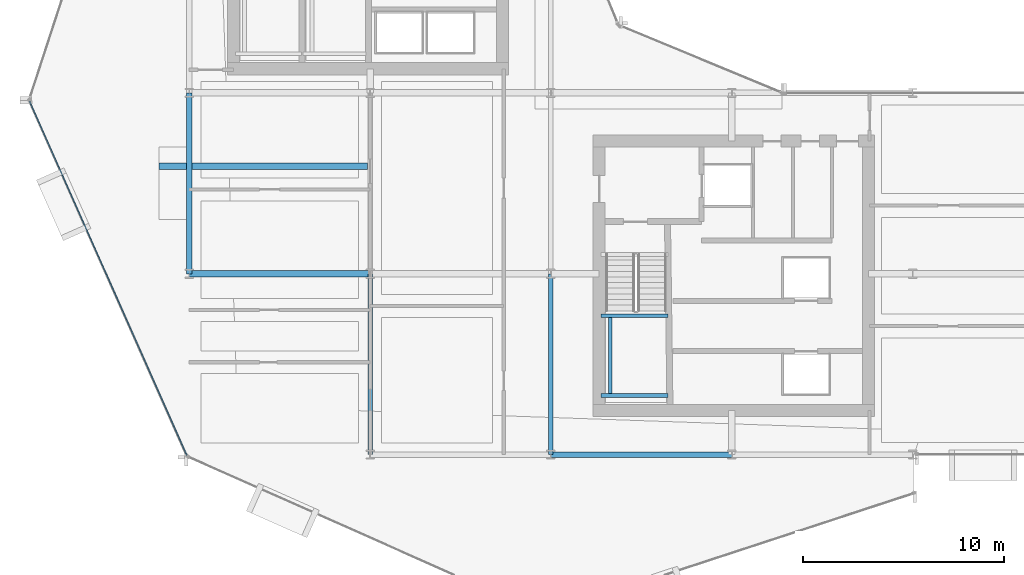
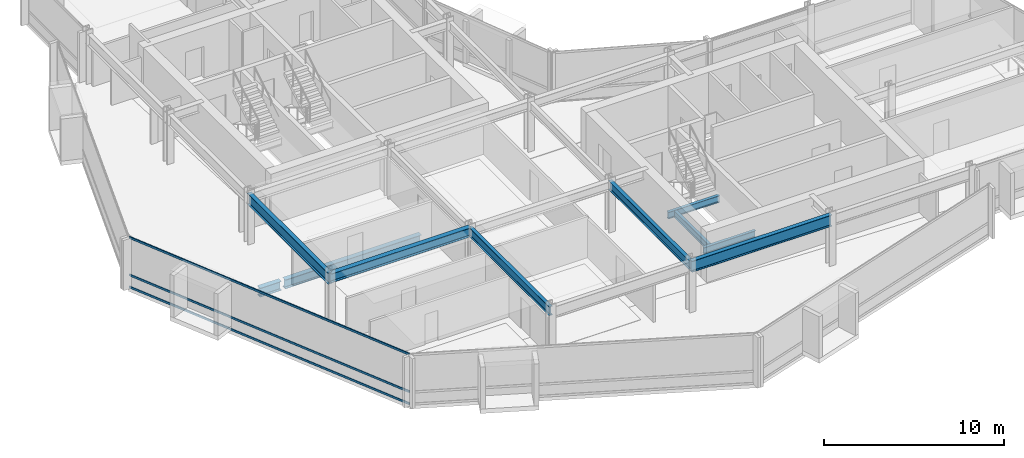
# One storey, part 5 of 28: 10 beams, 3 members, 1 element without a shape of its own.
"""IFC4 building model written with IfcOpenShell, lengths in metres."""

import ifcopenshell
import ifcopenshell.guid

model = None  # the IFC model being written
_history = None  # IfcOwnerHistory: only IFC2X3 demands one
_inside = {}  # id of a spatial element -> (the spatial element, [elements in it])
_under = {}  # id of a project, library or spatial element -> (it, [spatial elements below it])
_declared = {}  # id of a project -> (the project, [libraries it declares])
_typed = {}  # id of a type object -> (the type object, [elements of that type])
_made_of = {}  # id of a material, layer set ... -> (it, [elements and type objects made of it])


def new_model(schema):
    """Start an empty IFC model of exactly this schema.

    Asked for "IFC4X3", IfcOpenShell would pick the latest addendum, in which some entities
    have other attributes; the version numbers below select the first issue.
    IFC2X3 requires an IfcOwnerHistory on every rooted entity: one is made here for all.
    """
    global model, _history
    if schema == "IFC4X3":
        model = ifcopenshell.file(schema_version=(4, 3, 0, 0))
    else:
        model = ifcopenshell.file(schema=schema)
    _inside.clear()
    _under.clear()
    _declared.clear()
    _typed.clear()
    _made_of.clear()
    _history = None
    if model.schema == "IFC2X3":
        org = make("IfcOrganization", Name="unknown")
        user = make(
            "IfcPersonAndOrganization",
            ThePerson=make("IfcPerson", FamilyName="unknown"),
            TheOrganization=org,
        )
        app = make(
            "IfcApplication",
            ApplicationDeveloper=org,
            Version="unknown",
            ApplicationFullName="unknown",
            ApplicationIdentifier="unknown",
        )
        _history = make(
            "IfcOwnerHistory",
            OwningUser=user,
            OwningApplication=app,
            ChangeAction="ADDED",
            CreationDate=0,
        )
    return model


def make(cls, **values):
    """One entity of the class cls with the attributes given. An attribute that is None is left unset."""
    return model.create_entity(
        cls, **{name: value for name, value in values.items() if value is not None}
    )


def rooted(cls, **values):
    """An entity with a GlobalId (a new one), such as an element, a storey or a relation."""
    return make(cls, GlobalId=ifcopenshell.guid.new(), OwnerHistory=_history, **values)


def si_unit(unit_type, name, prefix=None):
    """IfcSIUnit, for example si_unit("LENGTHUNIT", "METRE", prefix="MILLI")."""
    return make("IfcSIUnit", UnitType=unit_type, Prefix=prefix, Name=name)


def assignment(units):
    """IfcUnitAssignment: the units of a project."""
    return None if units is None else make("IfcUnitAssignment", Units=units)


def point(xyz):
    """IfcCartesianPoint."""
    return None if xyz is None else make("IfcCartesianPoint", Coordinates=xyz)


def direction(xyz):
    """IfcDirection."""
    return None if xyz is None else make("IfcDirection", DirectionRatios=xyz)


def frame(location, z_axis=None, x_axis=None):
    """IfcAxis2Placement3D, a coordinate frame: its origin and axes. An axis left out is left unset."""
    return make(
        "IfcAxis2Placement3D",
        Location=point(location),
        Axis=direction(z_axis),
        RefDirection=direction(x_axis),
    )


def frame_2d(location, x_axis=None):
    """IfcAxis2Placement2D, a coordinate frame in the plane: its origin and x axis."""
    return make(
        "IfcAxis2Placement2D", Location=point(location), RefDirection=direction(x_axis)
    )


def origin():
    """The frame at (0, 0, 0) with its axes left unset."""
    return frame((0.0, 0.0, 0.0))


def origin_2d():
    """The frame at (0, 0) in the plane with its x axis left unset."""
    return frame_2d((0.0, 0.0))


def place(relative_to, where):
    """IfcLocalPlacement: puts the frame where relative to a parent placement (None: the world)."""
    return make(
        "IfcLocalPlacement", PlacementRelTo=relative_to, RelativePlacement=where
    )


def context(
    kind, dimensions, precision=None, world=None, true_north=None, identifier=None
):
    """IfcGeometricRepresentationContext, for example the 3D "Model" context."""
    return make(
        "IfcGeometricRepresentationContext",
        ContextIdentifier=identifier,
        ContextType=kind,
        CoordinateSpaceDimension=dimensions,
        Precision=precision,
        WorldCoordinateSystem=world,
        TrueNorth=true_north,
    )


def subcontext(parent, identifier, kind, view, scale=None):
    """IfcGeometricRepresentationSubContext, for example "Body" below "Model"."""
    return make(
        "IfcGeometricRepresentationSubContext",
        ContextIdentifier=identifier,
        ContextType=kind,
        ParentContext=parent,
        TargetScale=scale,
        TargetView=view,
    )


def project(units=None, contexts=None):
    """IfcProject with its units and contexts."""
    return rooted(
        "IfcProject",
        Name="project",
        RepresentationContexts=contexts,
        UnitsInContext=assignment(units),
    )


def spatial(cls, under=None, at=None, **own):
    """A site, building, storey or space (cls), placed at a placement, below another one or the project."""
    s = rooted(cls, ObjectPlacement=at, **own)
    if under is not None:
        _under.setdefault(under.id(), (under, []))[1].append(s)
    return s


def profile(cls, at=None, kind="AREA", **sizes):
    """A parametric profile (cls). Its sizes go by their IFC names, for example OverallWidth=200.0."""
    return make(cls, ProfileType=kind, Position=at, **sizes)


def hollow_rectangle(**sizes):
    """IfcRectangleHollowProfileDef."""
    return profile("IfcRectangleHollowProfileDef", **sizes)


def i_section(**sizes):
    """IfcIShapeProfileDef."""
    return profile("IfcIShapeProfileDef", **sizes)


def extrude(swept, where, along, depth):
    """IfcExtrudedAreaSolid: the profile swept, set in the frame where, extruded along a direction by depth."""
    return make(
        "IfcExtrudedAreaSolid",
        SweptArea=swept,
        Position=where,
        ExtrudedDirection=direction(along),
        Depth=depth,
    )


def shape(context_of_items, identifier, shape_type, items):
    """IfcShapeRepresentation: the items that make up one representation, for example the "Body"."""
    return make(
        "IfcShapeRepresentation",
        ContextOfItems=context_of_items,
        RepresentationIdentifier=identifier,
        RepresentationType=shape_type,
        Items=items,
    )


def material(Name=None, Category=None):
    """IfcMaterial."""
    return make("IfcMaterial", Name=Name, Category=Category)


def layer(
    of_material, thickness, ventilated=None, Name=None, Category=None, Priority=None
):
    """IfcMaterialLayer: one layer of a wall or slab, of a material (None: an air gap)."""
    return make(
        "IfcMaterialLayer",
        Material=of_material,
        LayerThickness=thickness,
        IsVentilated=ventilated,
        Name=Name,
        Category=Category,
        Priority=Priority,
    )


def layer_set(layers, Name=None):
    """IfcMaterialLayerSet."""
    return make("IfcMaterialLayerSet", MaterialLayers=layers, LayerSetName=Name)


def material_profile(
    of_material, cross_section, Name=None, Category=None, Priority=None
):
    """IfcMaterialProfile: a cross section and its material."""
    return make(
        "IfcMaterialProfile",
        Name=Name,
        Material=of_material,
        Profile=cross_section,
        Priority=Priority,
        Category=Category,
    )


def profile_set(profiles, Name=None, composite=None):
    """IfcMaterialProfileSet."""
    return make(
        "IfcMaterialProfileSet",
        Name=Name,
        MaterialProfiles=profiles,
        CompositeProfile=composite,
    )


def made_of(thing, what):
    """Note that an element or type object is made of a material, layer set ...; save() writes the relation."""
    if what is not None:
        _made_of.setdefault(what.id(), (what, []))[1].append(thing)
    return thing


def type_object(cls, material=None, **own):
    """A type object (cls), such as IfcWallType, which elements share."""
    return made_of(rooted(cls, **own), material)


def element(
    cls,
    number,
    at=None,
    inside=None,
    cuts=None,
    type_object=None,
    material=None,
    context=None,
    identifier="Body",
    shape_type=None,
    held_by="IfcProductDefinitionShape",
    body=None,
    shapes=None,
    **own,
):
    """One element of the class cls, such as IfcWall. Its Tag is "e" and its number.

    at: its placement. inside: the storey or other place that contains it. cuts: it is an
    opening in that element (IfcRelVoidsElement). A single representation is given by context,
    identifier, shape_type and body (its items); several are given by shapes. held_by: the class
    of the entity that holds the representations. save() writes the other relations.
    """
    e = rooted(cls, Tag="e%d" % number, ObjectPlacement=at, **own)
    if body is not None:
        shapes = [shape(context, identifier, shape_type, body)]
    if shapes is not None:
        e.Representation = make(held_by, Representations=shapes)
    if inside is not None:
        _inside.setdefault(inside.id(), (inside, []))[1].append(e)
    if cuts is not None:
        rooted(
            "IfcRelVoidsElement", RelatingBuildingElement=cuts, RelatedOpeningElement=e
        )
    if type_object is not None:
        _typed.setdefault(type_object.id(), (type_object, []))[1].append(e)
    return made_of(e, material)


def aggregate(whole, parts):
    """IfcRelAggregates: a whole, such as a stair, and the parts it consists of."""
    return rooted("IfcRelAggregates", RelatingObject=whole, RelatedObjects=parts)


def save(model, path):
    """Write the relations noted so far, then the file.

    IfcRelAggregates (storeys below a building ...), IfcRelContainedInSpatialStructure (elements
    in a storey), IfcRelDefinesByType, IfcRelAssociatesMaterial and IfcRelDeclares: one each for
    every whole, place, type object, material and project.
    """
    for whole, parts in _under.values():
        aggregate(whole, parts)
    for where, things in _inside.values():
        rooted(
            "IfcRelContainedInSpatialStructure",
            RelatedElements=things,
            RelatingStructure=where,
        )
    for kind, things in _typed.values():
        rooted("IfcRelDefinesByType", RelatedObjects=things, RelatingType=kind)
    for what, things in _made_of.values():
        rooted("IfcRelAssociatesMaterial", RelatedObjects=things, RelatingMaterial=what)
    for by, libraries in _declared.values():
        rooted("IfcRelDeclares", RelatingContext=by, RelatedDefinitions=libraries)
    model.write(path)


model = new_model("IFC4")

# Units and contexts
model_context = context("Model", 3, precision=1e-05, world=origin(), true_north=direction((0.0, 1.0)))
body_context = subcontext(model_context, "Body", "Model", "MODEL_VIEW")
ifc_project = project(units=[si_unit("LENGTHUNIT", "METRE"), si_unit("AREAUNIT", "SQUARE_METRE"), si_unit("VOLUMEUNIT", "CUBIC_METRE"), si_unit("PLANEANGLEUNIT", "RADIAN"), si_unit("MASSUNIT", "GRAM", prefix="KILO")], contexts=[model_context])

# Site, building, storey
site_placement = place(None, origin())
site = spatial("IfcSite", under=ifc_project, at=site_placement, CompositionType="ELEMENT")
building_placement = place(site_placement, origin())
building = spatial("IfcBuilding", under=site, at=building_placement, Name="Solvaryn Broadcast Tower", CompositionType="ELEMENT")
storey_placement = place(building_placement, frame((0.0, 0.0, 110.0)))
storey = spatial("IfcBuildingStorey", under=building, at=storey_placement, Name="L26", CompositionType="ELEMENT", Elevation=110.0)

# Beams
ifc_material_1 = material(Name="Steel ASTM A992 Grade 50", Category="steel")
ifc_material_profile_1 = material_profile(ifc_material_1, i_section(OverallWidth=0.323974609375, OverallDepth=0.611083984375, WebThickness=0.0126953125, FlangeThickness=0.01904296875, FilletRadius=0.014892578125, at=origin_2d()))
ifc_profile_set_1 = profile_set([ifc_material_profile_1], Name="Steel ASTM A992 Grade 50")
beam_type_1 = type_object("IfcBeamType", Name="BM-B1-W24X104", PredefinedType="BEAM", material=ifc_profile_set_1)
beam_1_placement = place(storey_placement, frame((17.875, 23.35009765625, -0.58544921875), z_axis=(-1.0, 0.0, 0.0), x_axis=(0.0, -1.0, 0.0)))
element("IfcBeam", 1, at=beam_1_placement, inside=storey, type_object=beam_type_1, Name="L26 Bay-Box Back-Span Beam 1", PredefinedType="BEAM", context=body_context, shape_type="SweptSolid", body=[
    extrude(i_section(OverallWidth=0.323974609375, OverallDepth=0.611083984375, WebThickness=0.0126953125, FlangeThickness=0.01904296875, FilletRadius=0.014892578125, at=origin_2d()), origin(), (0.0, 0.0, 1.0), 8.75),
])
beam_2_placement = place(storey_placement, frame((9.0, 18.0, 3.114501953125), z_axis=(1.0, 0.0, 0.0), x_axis=(0.0, 1.0, 0.0)))
element("IfcBeam", 2, at=beam_2_placement, inside=storey, type_object=beam_type_1, Name="L26 Primary Beam X (9-18 @ Y=18)", PredefinedType="BEAM", context=body_context, shape_type="SweptSolid", body=[
    extrude(i_section(OverallWidth=0.323974609375, OverallDepth=0.611083984375, WebThickness=0.0126953125, FlangeThickness=0.01904296875, FilletRadius=0.014892578125, at=origin_2d()), origin(), (0.0, 0.0, 1.0), 9.0),
])
ifc_material_2 = material(Name="Steel ASTM A992 Grade 50", Category="steel")
ifc_material_profile_2 = material_profile(ifc_material_2, i_section(OverallWidth=0.22802734375, OverallDepth=0.60791015625, WebThickness=0.01123046875, FlangeThickness=0.017333984375, FilletRadius=0.014892578125, at=origin_2d()))
ifc_profile_set_2 = profile_set([ifc_material_profile_2], Name="Steel ASTM A992 Grade 50")
beam_type_2 = type_object("IfcBeamType", Name="BM-B2-W24X76", PredefinedType="BEAM", material=ifc_profile_set_2)
for number, where, z_axis, x_axis, name in (
    (3, (18.0, 9.0, 3.115966796875), (0.0, 1.0, 0.0), (-1.0, 0.0, 0.0), "L26 Primary Beam Y (9-18 @ X=18)"),
    (4, (27.0, 9.0, 3.115966796875), (0.0, 1.0, 0.0), (-1.0, 0.0, 0.0), "L26 Primary Beam Y (9-18 @ X=27)"),
):
    element("IfcBeam", number, at=place(storey_placement, frame(where, z_axis=z_axis, x_axis=x_axis)), inside=storey, type_object=beam_type_2, Name=name, PredefinedType="BEAM", context=body_context, shape_type="SweptSolid", body=[
        extrude(i_section(OverallWidth=0.22802734375, OverallDepth=0.60791015625, WebThickness=0.01123046875, FlangeThickness=0.017333984375, FilletRadius=0.014892578125, at=origin_2d()), origin(), (0.0, 0.0, 1.0), 9.0),
    ])
ifc_material_3 = material(Name="Steel ASTM A992 Grade 50", Category="steel")
ifc_material_profile_3 = material_profile(ifc_material_3, i_section(OverallWidth=0.18994140625, OverallDepth=0.45703125, WebThickness=0.009033203125, FlangeThickness=0.014404296875, FilletRadius=0.011962890625, at=origin_2d()))
ifc_profile_set_3 = profile_set([ifc_material_profile_3], Name="Steel ASTM A992 Grade 50")
beam_type_3 = type_object("IfcBeamType", Name="BM-B4-W18X50", PredefinedType="BEAM", material=ifc_profile_set_3)
for number, where, z_axis, x_axis, name in (
    (5, (29.5, 11.949951171875, 1.42138671875), (1.0, 0.0, 0.0), (0.0, 1.0, 0.0), "L26 ST3 Landing Support Beam 1A"),
    (6, (29.5, 15.909912109375, 1.42138671875), (1.0, 0.0, 0.0), (0.0, 1.0, 0.0), "L26 ST3 Landing Support Beam 1B"),
):
    element("IfcBeam", number, at=place(storey_placement, frame(where, z_axis=z_axis, x_axis=x_axis)), inside=storey, type_object=beam_type_3, Name=name, PredefinedType="BEAM", context=body_context, shape_type="SweptSolid", body=[
        extrude(i_section(OverallWidth=0.18994140625, OverallDepth=0.45703125, WebThickness=0.009033203125, FlangeThickness=0.014404296875, FilletRadius=0.011962890625, at=origin_2d()), origin(), (0.0, 0.0, 1.0), 3.320068359375),
    ])
beam_3_placement = place(storey_placement, frame((29.949951171875, 11.949951171875, 1.42138671875), z_axis=(0.0, 1.0, 0.0), x_axis=(-1.0, 0.0, 0.0)))
element("IfcBeam", 7, at=beam_3_placement, inside=storey, type_object=beam_type_3, Name="L26 ST3 Landing Cross Stringer 1C", PredefinedType="BEAM", context=body_context, shape_type="SweptSolid", body=[
    extrude(i_section(OverallWidth=0.18994140625, OverallDepth=0.45703125, WebThickness=0.009033203125, FlangeThickness=0.014404296875, FilletRadius=0.011962890625, at=origin_2d()), origin(), (0.0, 0.0, 1.0), 3.9599609375),
])
ifc_material_4 = material(Name="Steel ASTM A992 Grade 50", Category="steel")
ifc_material_profile_4 = material_profile(ifc_material_4, i_section(OverallWidth=0.323974609375, OverallDepth=0.611083984375, WebThickness=0.0126953125, FlangeThickness=0.01904296875, FilletRadius=0.014892578125, at=origin_2d()))
ifc_profile_set_4 = profile_set([ifc_material_profile_4], Name="Steel ASTM A992 Grade 50")
beam_type_4 = type_object("IfcBeamType", Name="BM-CANT-TER", PredefinedType="BEAM", material=ifc_profile_set_4)
beam_4_placement = place(storey_placement, frame((8.875, 23.35009765625, -0.58544921875), z_axis=(-1.0, 0.0, 0.0), x_axis=(0.0, -1.0, 0.0)))
element("IfcBeam", 8, at=beam_4_placement, inside=storey, type_object=beam_type_4, Name="L26 Bay-Box Cantilever Bracket 1", PredefinedType="BEAM", context=body_context, shape_type="SweptSolid", body=[
    extrude(i_section(OverallWidth=0.323974609375, OverallDepth=0.611083984375, WebThickness=0.0126953125, FlangeThickness=0.01904296875, FilletRadius=0.014892578125, at=origin_2d()), origin(), (0.0, 0.0, 1.0), 1.375),
])
ifc_material_5 = material(Name="Steel ASTM A992 Grade 50", Category="steel")
ifc_material_profile_5 = material_profile(ifc_material_5, i_section(OverallWidth=0.26708984375, OverallDepth=0.76611328125, WebThickness=0.014892578125, FlangeThickness=0.023681640625, FilletRadius=0.01806640625, at=origin_2d()))
ifc_profile_set_5 = profile_set([ifc_material_profile_5], Name="Steel ASTM A992 Grade 50")
beam_type_5 = type_object("IfcBeamType", Name="BM-SP2-W30X124", PredefinedType="USERDEFINED", material=ifc_profile_set_5)
for number, where, z_axis, x_axis, name in (
    (9, (27.0, 9.0, 3.037109375), (1.0, 0.0, 0.0), (0.0, 1.0, 0.0), "L26 Spandrel Beam X (27-36 @ Y=9)"),
    (10, (9.0, 18.0, 3.037109375), (0.0, 1.0, 0.0), (-1.0, 0.0, 0.0), "L26 Spandrel Beam Y (18-27 @ X=9)"),
):
    element("IfcBeam", number, at=place(storey_placement, frame(where, z_axis=z_axis, x_axis=x_axis)), inside=storey, type_object=beam_type_5, Name=name, ObjectType="SPANDREL", PredefinedType="USERDEFINED", context=body_context, shape_type="SweptSolid", body=[
        extrude(i_section(OverallWidth=0.26708984375, OverallDepth=0.76611328125, WebThickness=0.014892578125, FlangeThickness=0.023681640625, FilletRadius=0.01806640625, at=origin_2d()), origin(), (0.0, 0.0, 1.0), 9.0),
    ])

# Curtain wall, members
ifc_material_6 = material(Name="Aluminium and Terracotta Unitised Curtain Wall", Category="masonry")
ifc_layer = layer(ifc_material_6, 0.199951171875)
ifc_layer_set = layer_set([ifc_layer], Name="CW-SYS2-LOWMID")
curtain_wall_type = type_object("IfcCurtainWallType", Name="CW-SYS2-LOWMID", PredefinedType="NOTDEFINED", material=ifc_layer_set)
curtain_wall_placement = place(storey_placement, origin())
curtain_wall = element("IfcCurtainWall", 11, at=curtain_wall_placement, inside=storey, type_object=curtain_wall_type, Name="L26 Curtain Wall DR2", PredefinedType="NOTDEFINED")
ifc_material_7 = material(Name="Anodised Aluminium 6063-T6", Category="aluminium")
ifc_material_profile_6 = material_profile(ifc_material_7, hollow_rectangle(XDim=0.06494140625, YDim=0.14990234375, WallThickness=0.00390625, InnerFilletRadius=0.00390625, OuterFilletRadius=0.008056640625, at=origin_2d()))
ifc_profile_set_6 = profile_set([ifc_material_profile_6], Name="Anodised Aluminium 6063-T6")
member_type = type_object("IfcMemberType", Name="CW-TRN-150", PredefinedType="USERDEFINED", material=ifc_profile_set_6)
member_1_placement = place(storey_placement, frame((1.058349609375, 26.5810546875, 0.030029296875), z_axis=(0.405917546252, -0.913909703223, 0.0), x_axis=(0.913909703223, 0.405917546252, 0.0)))
member_1 = element("IfcMember", 12, at=member_1_placement, type_object=member_type, Name="CWS2 transom 1.1", ObjectType="TRANSOM", PredefinedType="USERDEFINED", context=body_context, shape_type="SweptSolid", body=[
    extrude(hollow_rectangle(XDim=0.06494140625, YDim=0.14990234375, WallThickness=0.00390625, InnerFilletRadius=0.00390625, OuterFilletRadius=0.008056640625, at=origin_2d()), origin(), (0.0, 0.0, 1.0), 19.27783203125),
])
member_2_placement = place(storey_placement, frame((1.058349609375, 26.5810546875, 0.85009765625), z_axis=(0.405917546252, -0.913909703223, 0.0), x_axis=(0.913909703223, 0.405917546252, 0.0)))
member_2 = element("IfcMember", 13, at=member_2_placement, type_object=member_type, Name="CWS2 transom 1.2", ObjectType="TRANSOM", PredefinedType="USERDEFINED", context=body_context, shape_type="SweptSolid", body=[
    extrude(hollow_rectangle(XDim=0.06494140625, YDim=0.14990234375, WallThickness=0.00390625, InnerFilletRadius=0.00390625, OuterFilletRadius=0.008056640625, at=origin_2d()), origin(), (0.0, 0.0, 1.0), 19.27783203125),
])
member_3_placement = place(storey_placement, frame((1.058349609375, 26.5810546875, 3.389892578125), z_axis=(0.405917546252, -0.913909703223, 0.0), x_axis=(0.913909703223, 0.405917546252, 0.0)))
member_3 = element("IfcMember", 14, at=member_3_placement, type_object=member_type, Name="CWS2 transom 1.3", ObjectType="TRANSOM", PredefinedType="USERDEFINED", context=body_context, shape_type="SweptSolid", body=[
    extrude(hollow_rectangle(XDim=0.06494140625, YDim=0.14990234375, WallThickness=0.00390625, InnerFilletRadius=0.00390625, OuterFilletRadius=0.008056640625, at=origin_2d()), origin(), (0.0, 0.0, 1.0), 19.27783203125),
])
aggregate(curtain_wall, [member_1, member_2, member_3])

save(model, "model.ifc")
